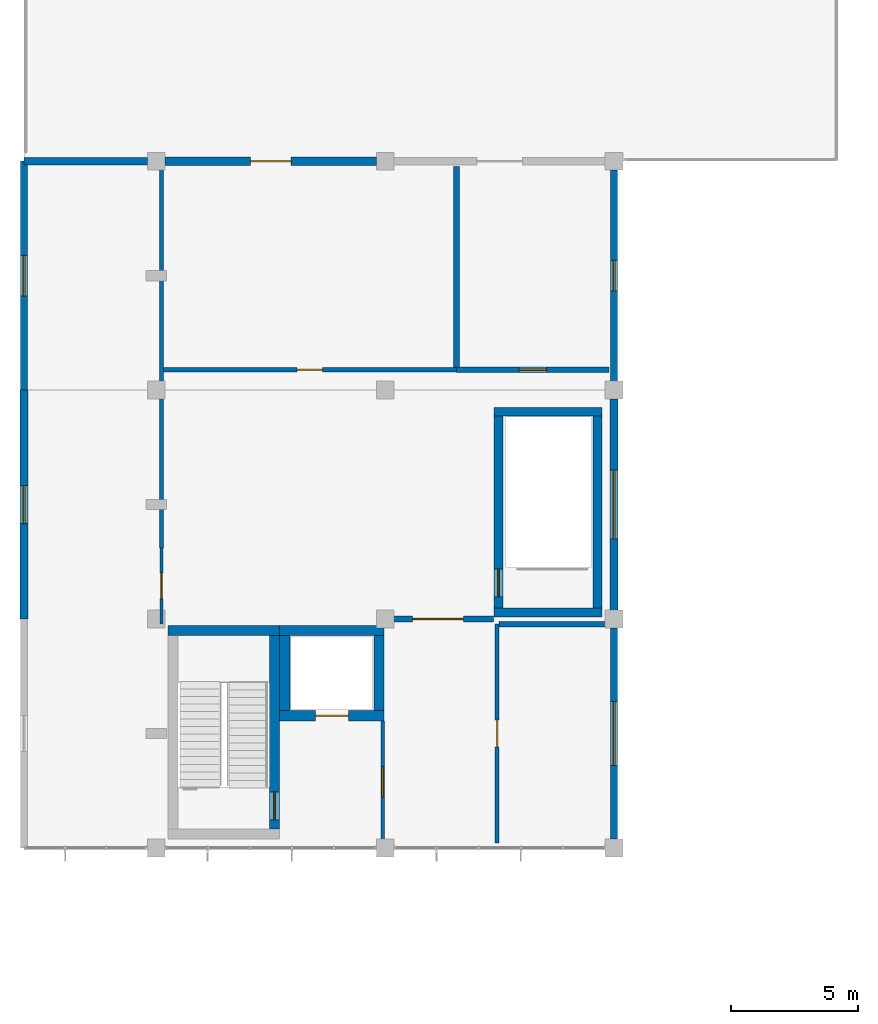
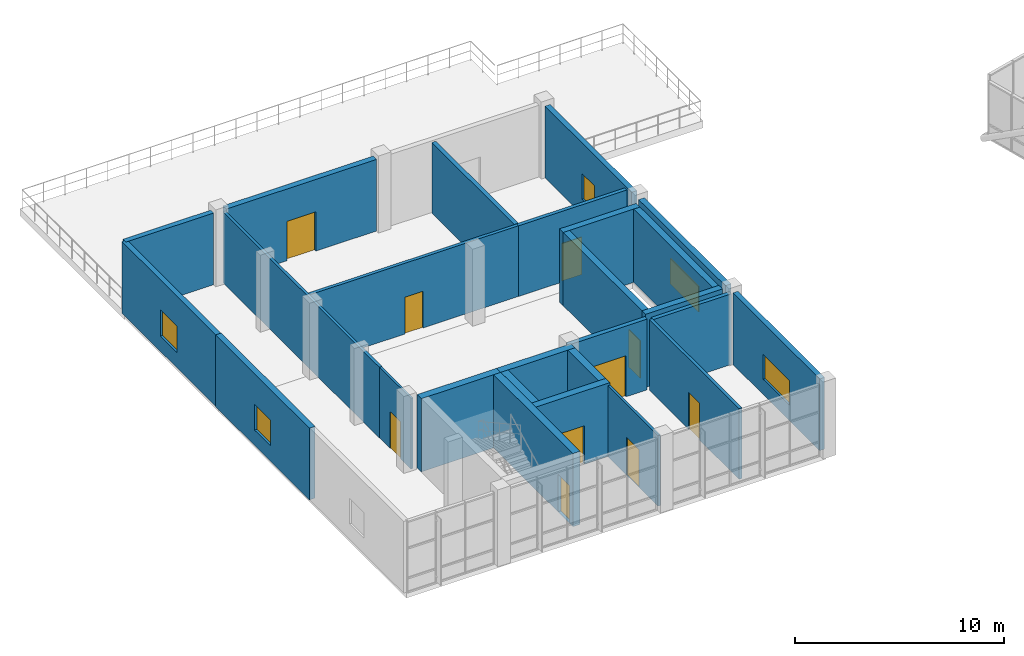
# One storey, part 25 of 29: 26 walls, 10 doors, 5 windows, 15 openings.
"""IFC4 building model written with IfcOpenShell, lengths in metres."""

from ifc_helpers import new_model, si_unit, direction, frame, frame_2d, origin, place, context, subcontext, project, spatial, rectangle, extrude, material, layer, layer_set, type_object, element, fill, save


model = new_model("IFC4")

# Units and contexts
model_context = context("Model", 3, precision=1e-05, world=origin(), true_north=direction((0.0, 1.0)))
body_context = subcontext(model_context, "Body", "Model", "MODEL_VIEW")
ifc_project = project(units=[si_unit("LENGTHUNIT", "METRE"), si_unit("AREAUNIT", "SQUARE_METRE"), si_unit("VOLUMEUNIT", "CUBIC_METRE"), si_unit("PLANEANGLEUNIT", "RADIAN"), si_unit("MASSUNIT", "GRAM", prefix="KILO")], contexts=[model_context])

# Site, building, storey
site_placement = place(None, origin())
site = spatial("IfcSite", under=ifc_project, at=site_placement, CompositionType="ELEMENT")
building_placement = place(site_placement, origin())
building = spatial("IfcBuilding", under=site, at=building_placement, Name="Ventoquebrada Cableway Terminal", CompositionType="ELEMENT")
storey_placement = place(building_placement, frame((0.0, 0.0, 18.89990234375)))
storey = spatial("IfcBuildingStorey", under=building, at=storey_placement, Name="L04", CompositionType="ELEMENT", Elevation=18.89990234375)

# Wall, opening, door
ifc_material_1 = material(Name="Concrete C40/50", Category="concrete")
ifc_layer_1 = layer(ifc_material_1, 0.39990234375)
ifc_layer_set_1 = layer_set([ifc_layer_1], Name="Concrete C40/50")
wall_type_1 = type_object("IfcWallType", Name="WL-CR1", PredefinedType="SHEAR", material=ifc_layer_set_1)
wall_1_placement = place(storey_placement, frame((12.85009765625, 77.75, 0.0), z_axis=(0.0, 0.0, 1.0), x_axis=(0.0, 1.0, 0.0)))
wall_1 = element("IfcWall", 1, at=wall_1_placement, inside=storey, type_object=wall_type_1, Name="Core shear wall IW-0082", PredefinedType="SHEAR", context=body_context, shape_type="SweptSolid", body=[
    extrude(rectangle(XDim=7.60009765625, YDim=0.39990234375, at=frame_2d((3.800048828125, 0.0))), origin(), (0.0, 0.0, 1.0), 4.280029296875),
])
opening_1_placement = place(wall_1_placement, frame((0.35009765625, 0.0, 0.0)))
opening_1 = element("IfcOpeningElement", 2, at=opening_1_placement, cuts=wall_1, Name="Opening D-010", PredefinedType="OPENING", context=body_context, shape_type="SweptSolid", body=[
    extrude(rectangle(XDim=1.10009765625, YDim=2.199951171875, at=frame_2d((0.550048828125, 1.10009765625))), frame((0.0, 0.2099609375, 0.0), z_axis=(0.0, -1.0, 0.0), x_axis=(1.0, 0.0, 0.0)), (0.0, 0.0, 1.0), 0.419921875),
])
ifc_material_2 = material(Name="Galvanized fire-rated steel door assembly", Category="steel")
door_type_1 = type_object("IfcDoorType", Name="DT-IN05", OperationType="SINGLE_SWING_LEFT", PredefinedType="DOOR", material=ifc_material_2)
door_1_placement = place(opening_1_placement, origin())
door_1 = element("IfcDoor", 3, at=door_1_placement, inside=storey, type_object=door_type_1, Name="Core K3-S stair fire door D-010", OperationType="SINGLE_SWING_LEFT", OverallHeight=2.199951171875, OverallWidth=1.10009765625, PredefinedType="DOOR", context=body_context, shape_type="SweptSolid", body=[
    extrude(rectangle(XDim=1.10009765625, YDim=2.199951171875, at=frame_2d((0.550048828125, 1.10009765625))), frame((0.0, 0.02490234375, 0.0), z_axis=(0.0, -1.0, 0.0), x_axis=(1.0, 0.0, 0.0)), (0.0, 0.0, 1.0), 0.050048828125),
])
fill(opening_1, door_1)

# Wall
wall_2_placement = place(storey_placement, frame((13.050048828125, 85.550048828125, 0.0), z_axis=(0.0, 0.0, 1.0), x_axis=(-1.0, 0.0, 0.0)))
element("IfcWall", 4, at=wall_2_placement, inside=storey, type_object=wall_type_1, Name="Core shear wall IW-0083", PredefinedType="SHEAR", context=body_context, shape_type="SweptSolid", body=[
    extrude(rectangle(XDim=4.400146484375, YDim=0.39990234375, at=frame_2d((2.2001953125, 0.0))), origin(), (0.0, 0.0, 1.0), 4.280029296875),
])

# Wall, opening, door
wall_3_placement = place(storey_placement, frame((13.050048828125, 82.199951171875, 0.0), z_axis=(0.0, 0.0, 1.0), x_axis=(1.0, 0.0, 0.0)))
wall_3 = element("IfcWall", 5, at=wall_3_placement, inside=storey, type_object=wall_type_1, Name="Core shear wall IW-0085", PredefinedType="SHEAR", context=body_context, shape_type="SweptSolid", body=[
    extrude(rectangle(XDim=4.099853515625, YDim=0.39990234375, at=frame_2d((2.0498046875, 0.0))), origin(), (0.0, 0.0, 1.0), 4.280029296875),
])
opening_2_placement = place(wall_3_placement, frame((1.39990234375, 0.0, 0.0)))
opening_2 = element("IfcOpeningElement", 6, at=opening_2_placement, cuts=wall_3, Name="Opening LD-010", PredefinedType="OPENING", context=body_context, shape_type="SweptSolid", body=[
    extrude(rectangle(XDim=1.300048828125, YDim=2.25, at=frame_2d((0.64990234375, 1.125))), frame((0.0, 0.2099609375, 0.0), z_axis=(0.0, -1.0, 0.0), x_axis=(1.0, 0.0, 0.0)), (0.0, 0.0, 1.0), 0.419921875),
])
ifc_material_3 = material(Name="Brushed stainless steel Grade 316", Category="steel")
door_type_2 = type_object("IfcDoorType", Name="DT-LD02", OperationType="SLIDING_TO_RIGHT", PredefinedType="DOOR", material=ifc_material_3)
door_2_placement = place(opening_2_placement, origin())
door_2 = element("IfcDoor", 7, at=door_2_placement, inside=storey, type_object=door_type_2, Name="Lift landing sliding door LD-010", OperationType="SLIDING_TO_LEFT", OverallHeight=2.25, OverallWidth=1.300048828125, PredefinedType="DOOR", context=body_context, shape_type="SweptSolid", body=[
    extrude(rectangle(XDim=1.300048828125, YDim=2.25, at=frame_2d((0.64990234375, 1.125))), frame((0.0, 0.02490234375, 0.0), z_axis=(0.0, -1.0, 0.0), x_axis=(1.0, 0.0, 0.0)), (0.0, 0.0, 1.0), 0.050048828125),
])
fill(opening_2, door_2)

# Walls
wall_4_placement = place(storey_placement, frame((16.949951171875, 82.39990234375, 0.0), z_axis=(0.0, 0.0, 1.0), x_axis=(0.0, 1.0, 0.0)))
element("IfcWall", 8, at=wall_4_placement, inside=storey, type_object=wall_type_1, Name="Core shear wall IW-0086", PredefinedType="SHEAR", context=body_context, shape_type="SweptSolid", body=[
    extrude(rectangle(XDim=2.9501953125, YDim=0.39990234375, at=frame_2d((1.47509765625, 0.0))), origin(), (0.0, 0.0, 1.0), 4.280029296875),
])
wall_5_placement = place(storey_placement, frame((17.14990234375, 85.550048828125, 0.0), z_axis=(0.0, 0.0, 1.0), x_axis=(-1.0, 0.0, 0.0)))
element("IfcWall", 9, at=wall_5_placement, inside=storey, type_object=wall_type_1, Name="Core shear wall IW-0087", PredefinedType="SHEAR", context=body_context, shape_type="SweptSolid", body=[
    extrude(rectangle(XDim=4.099853515625, YDim=0.39990234375, at=frame_2d((2.0498046875, 0.0))), origin(), (0.0, 0.0, 1.0), 4.280029296875),
])
wall_6_placement = place(storey_placement, frame((13.25, 85.35009765625, 0.0), z_axis=(0.0, 0.0, 1.0), x_axis=(0.0, -1.0, 0.0)))
element("IfcWall", 10, at=wall_6_placement, inside=storey, type_object=wall_type_1, Name="Core shear wall IW-0088", PredefinedType="SHEAR", context=body_context, shape_type="SweptSolid", body=[
    extrude(rectangle(XDim=2.9501953125, YDim=0.39990234375, at=frame_2d((1.47509765625, 0.0))), origin(), (0.0, 0.0, 1.0), 4.280029296875),
])

# Wall, opening, window
ifc_material_4 = material(Name="Precast architectural concrete C40/50", Category="concrete")
ifc_layer_2 = layer(ifc_material_4, 0.280029296875)
ifc_layer_set_2 = layer_set([ifc_layer_2], Name="Precast architectural concrete C40/50")
wall_type_2 = type_object("IfcWallType", Name="WL-EX1", PredefinedType="SOLIDWALL", material=ifc_layer_set_2)
wall_7_placement = place(storey_placement, frame((26.199951171875, 77.344970703125, 0.0), z_axis=(0.0, 0.0, 1.0), x_axis=(0.0, 1.0, 0.0)))
wall_7 = element("IfcWall", 11, at=wall_7_placement, inside=storey, type_object=wall_type_2, Name="Exterior architectural wall EW-0170", PredefinedType="SOLIDWALL", context=body_context, shape_type="SweptSolid", body=[
    extrude(rectangle(XDim=8.31005859375, YDim=0.280029296875, at=frame_2d((4.155029296875, 0.0))), origin(), (0.0, 0.0, 1.0), 4.190185546875),
])
opening_3_placement = place(wall_7_placement, frame((2.905029296875, 0.0, 0.89990234375)))
opening_3 = element("IfcOpeningElement", 12, at=opening_3_placement, cuts=wall_7, Name="Opening WN-079", PredefinedType="OPENING", context=body_context, shape_type="SweptSolid", body=[
    extrude(rectangle(XDim=2.5, YDim=1.449951171875, at=frame_2d((1.25, 0.72509765625))), frame((0.0, 0.14990234375, 0.0), z_axis=(0.0, -1.0, 0.0), x_axis=(1.0, 0.0, 0.0)), (0.0, 0.0, 1.0), 0.300048828125),
])
ifc_material_5 = material(Name="Double low-e laminated safety glazing", Category="glass")
window_type_1 = type_object("IfcWindowType", Name="WT-19", PartitioningType="SINGLE_PANEL", PredefinedType="WINDOW", material=ifc_material_5)
window_1_placement = place(opening_3_placement, origin())
window_1 = element("IfcWindow", 13, at=window_1_placement, inside=storey, type_object=window_type_1, Name="Architectural punched window WN-079", OverallHeight=1.449951171875, OverallWidth=2.5, PartitioningType="SINGLE_PANEL", PredefinedType="WINDOW", context=body_context, shape_type="SweptSolid", body=[
    extrude(rectangle(XDim=2.5, YDim=1.449951171875, at=frame_2d((1.25, 0.72509765625))), frame((0.0, 0.030029296875, 0.0), z_axis=(0.0, -1.0, 0.0), x_axis=(1.0, 0.0, 0.0)), (0.0, 0.0, 1.0), 0.06005859375),
])
fill(opening_3, window_1)

wall_8_placement = place(storey_placement, frame((26.199951171875, 95.344970703125, 0.0), z_axis=(0.0, 0.0, 1.0), x_axis=(0.0, 1.0, 0.0)))
wall_8 = element("IfcWall", 14, at=wall_8_placement, inside=storey, type_object=wall_type_2, Name="Exterior architectural wall EW-0172", PredefinedType="SOLIDWALL", context=body_context, shape_type="SweptSolid", body=[
    extrude(rectangle(XDim=8.31005859375, YDim=0.280029296875, at=frame_2d((4.155029296875, 0.0))), origin(), (0.0, 0.0, 1.0), 4.190185546875),
])
opening_4_placement = place(wall_8_placement, frame((3.554931640625, 0.0, 0.89990234375)))
opening_4 = element("IfcOpeningElement", 15, at=opening_4_placement, cuts=wall_8, Name="Opening WN-081", PredefinedType="OPENING", context=body_context, shape_type="SweptSolid", body=[
    extrude(rectangle(XDim=1.199951171875, YDim=1.5, at=frame_2d((0.60009765625, 0.75))), frame((0.0, 0.14990234375, 0.0), z_axis=(0.0, -1.0, 0.0), x_axis=(1.0, 0.0, 0.0)), (0.0, 0.0, 1.0), 0.300048828125),
])
window_type_2 = type_object("IfcWindowType", Name="WT-01", PartitioningType="SINGLE_PANEL", PredefinedType="WINDOW", material=ifc_material_5)
window_2_placement = place(opening_4_placement, origin())
window_2 = element("IfcWindow", 16, at=window_2_placement, inside=storey, type_object=window_type_2, Name="Architectural punched window WN-081", OverallHeight=1.5, OverallWidth=1.199951171875, PartitioningType="SINGLE_PANEL", PredefinedType="WINDOW", context=body_context, shape_type="SweptSolid", body=[
    extrude(rectangle(XDim=1.199951171875, YDim=1.5, at=frame_2d((0.60009765625, 0.75))), frame((0.0, 0.030029296875, 0.0), z_axis=(0.0, -1.0, 0.0), x_axis=(1.0, 0.0, 0.0)), (0.0, 0.0, 1.0), 0.06005859375),
])
fill(opening_4, window_2)

# Wall
wall_9_placement = place(storey_placement, frame((7.85498046875, 104.0, 0.0), z_axis=(0.0, 0.0, 1.0), x_axis=(-1.0, 0.0, 0.0)))
element("IfcWall", 17, at=wall_9_placement, inside=storey, type_object=wall_type_2, Name="Exterior architectural wall EW-0173", PredefinedType="SOLIDWALL", context=body_context, shape_type="SweptSolid", body=[
    extrude(rectangle(XDim=4.85498046875, YDim=0.280029296875, at=frame_2d((2.427490234375, 0.0))), origin(), (0.0, 0.0, 1.0), 4.190185546875),
])

# Wall, opening, window
wall_10_placement = place(storey_placement, frame((3.0, 104.0, 0.0), z_axis=(0.0, 0.0, 1.0), x_axis=(0.0, -1.0, 0.0)))
wall_10 = element("IfcWall", 18, at=wall_10_placement, inside=storey, type_object=wall_type_2, Name="Exterior architectural wall EW-0178", PredefinedType="SOLIDWALL", context=body_context, shape_type="SweptSolid", body=[
    extrude(rectangle(XDim=9.0, YDim=0.280029296875, at=frame_2d((4.5, 0.0))), origin(), (0.0, 0.0, 1.0), 4.190185546875),
])
opening_5_placement = place(wall_10_placement, frame((3.699951171875, 0.0, 0.89990234375)))
opening_5 = element("IfcOpeningElement", 19, at=opening_5_placement, cuts=wall_10, Name="Opening WN-084", PredefinedType="OPENING", context=body_context, shape_type="SweptSolid", body=[
    extrude(rectangle(XDim=1.60009765625, YDim=1.550048828125, at=frame_2d((0.800048828125, 0.77490234375))), frame((0.0, 0.14990234375, 0.0), z_axis=(0.0, -1.0, 0.0), x_axis=(1.0, 0.0, 0.0)), (0.0, 0.0, 1.0), 0.300048828125),
])
window_type_3 = type_object("IfcWindowType", Name="WT-04", PartitioningType="SINGLE_PANEL", PredefinedType="WINDOW", material=ifc_material_5)
window_3_placement = place(opening_5_placement, origin())
window_3 = element("IfcWindow", 20, at=window_3_placement, inside=storey, type_object=window_type_3, Name="Architectural punched window WN-084", OverallHeight=1.550048828125, OverallWidth=1.60009765625, PartitioningType="SINGLE_PANEL", PredefinedType="WINDOW", context=body_context, shape_type="SweptSolid", body=[
    extrude(rectangle(XDim=1.60009765625, YDim=1.550048828125, at=frame_2d((0.800048828125, 0.77490234375))), frame((0.0, 0.030029296875, 0.0), z_axis=(0.0, -1.0, 0.0), x_axis=(1.0, 0.0, 0.0)), (0.0, 0.0, 1.0), 0.06005859375),
])
fill(opening_5, window_3)

ifc_layer_3 = layer(ifc_material_4, 0.320068359375)
ifc_layer_set_3 = layer_set([ifc_layer_3], Name="Precast architectural concrete C40/50")
wall_type_3 = type_object("IfcWallType", Name="WL-EX2", PredefinedType="SOLIDWALL", material=ifc_layer_set_3)
wall_11_placement = place(storey_placement, frame((26.199951171875, 86.344970703125, 0.0), z_axis=(0.0, 0.0, 1.0), x_axis=(0.0, 1.0, 0.0)))
wall_11 = element("IfcWall", 21, at=wall_11_placement, inside=storey, type_object=wall_type_3, Name="Exterior architectural wall EW-0171", PredefinedType="SOLIDWALL", context=body_context, shape_type="SweptSolid", body=[
    extrude(rectangle(XDim=8.31005859375, YDim=0.320068359375, at=frame_2d((4.155029296875, 0.0))), origin(), (0.0, 0.0, 1.0), 4.190185546875),
])
opening_6_placement = place(wall_11_placement, frame((2.804931640625, 0.0, 0.89990234375)))
opening_6 = element("IfcOpeningElement", 22, at=opening_6_placement, cuts=wall_11, Name="Opening WN-080", PredefinedType="OPENING", context=body_context, shape_type="SweptSolid", body=[
    extrude(rectangle(XDim=2.699951171875, YDim=1.5, at=frame_2d((1.35009765625, 0.75))), frame((0.0, 0.169921875, 0.0), z_axis=(0.0, -1.0, 0.0), x_axis=(1.0, 0.0, 0.0)), (0.0, 0.0, 1.0), 0.340087890625),
])
window_type_4 = type_object("IfcWindowType", Name="WT-20", PartitioningType="SINGLE_PANEL", PredefinedType="WINDOW", material=ifc_material_5)
window_4_placement = place(opening_6_placement, origin())
window_4 = element("IfcWindow", 23, at=window_4_placement, inside=storey, type_object=window_type_4, Name="Architectural punched window WN-080", OverallHeight=1.5, OverallWidth=2.699951171875, PartitioningType="SINGLE_PANEL", PredefinedType="WINDOW", context=body_context, shape_type="SweptSolid", body=[
    extrude(rectangle(XDim=2.699951171875, YDim=1.5, at=frame_2d((1.35009765625, 0.75))), frame((0.0, 0.030029296875, 0.0), z_axis=(0.0, -1.0, 0.0), x_axis=(1.0, 0.0, 0.0)), (0.0, 0.0, 1.0), 0.06005859375),
])
fill(opening_6, window_4)

# Wall, opening, door
wall_12_placement = place(storey_placement, frame((16.85498046875, 104.0, 0.0), z_axis=(0.0, 0.0, 1.0), x_axis=(-1.0, 0.0, 0.0)))
wall_12 = element("IfcWall", 24, at=wall_12_placement, inside=storey, type_object=wall_type_3, Name="Exterior architectural wall EW-0174", PredefinedType="SOLIDWALL", context=body_context, shape_type="SweptSolid", body=[
    extrude(rectangle(XDim=8.31005859375, YDim=0.320068359375, at=frame_2d((4.155029296875, 0.0))), origin(), (0.0, 0.0, 1.0), 4.190185546875),
])
opening_7_placement = place(wall_12_placement, frame((3.35498046875, 0.0, 0.0)))
opening_7 = element("IfcOpeningElement", 25, at=opening_7_placement, cuts=wall_12, Name="Opening D-TR-13", PredefinedType="OPENING", context=body_context, shape_type="SweptSolid", body=[
    extrude(rectangle(XDim=1.60009765625, YDim=2.300048828125, at=frame_2d((0.800048828125, 1.14990234375))), frame((0.0, 0.169921875, 0.0), z_axis=(0.0, -1.0, 0.0), x_axis=(1.0, 0.0, 0.0)), (0.0, 0.0, 1.0), 0.340087890625),
])
ifc_material_6 = material(Name="Galvanized acoustic steel door assembly", Category="steel")
door_type_3 = type_object("IfcDoorType", Name="DT-EX06", OperationType="SLIDING_TO_LEFT", PredefinedType="DOOR", material=ifc_material_6)
door_3_placement = place(opening_7_placement, origin())
door_3 = element("IfcDoor", 26, at=door_3_placement, inside=storey, type_object=door_type_3, Name="Exterior d-tr door D-TR-13", OperationType="SLIDING_TO_LEFT", OverallHeight=2.300048828125, OverallWidth=1.60009765625, PredefinedType="DOOR", context=body_context, shape_type="SweptSolid", body=[
    extrude(rectangle(XDim=1.60009765625, YDim=2.300048828125, at=frame_2d((0.800048828125, 1.14990234375))), frame((0.0, 0.02490234375, 0.0), z_axis=(0.0, -1.0, 0.0), x_axis=(1.0, 0.0, 0.0)), (0.0, 0.0, 1.0), 0.050048828125),
])
fill(opening_7, door_3)

# Wall, opening, window
wall_13_placement = place(storey_placement, frame((3.0, 95.0, 0.0), z_axis=(0.0, 0.0, 1.0), x_axis=(0.0, -1.0, 0.0)))
wall_13 = element("IfcWall", 27, at=wall_13_placement, inside=storey, type_object=wall_type_3, Name="Exterior architectural wall EW-0177", PredefinedType="SOLIDWALL", context=body_context, shape_type="SweptSolid", body=[
    extrude(rectangle(XDim=9.0, YDim=0.320068359375, at=frame_2d((4.5, 0.0))), origin(), (0.0, 0.0, 1.0), 4.190185546875),
])
opening_8_placement = place(wall_13_placement, frame((3.75, 0.0, 0.89990234375)))
opening_8 = element("IfcOpeningElement", 28, at=opening_8_placement, cuts=wall_13, Name="Opening WN-083", PredefinedType="OPENING", context=body_context, shape_type="SweptSolid", body=[
    extrude(rectangle(XDim=1.5, YDim=1.5, at=frame_2d((0.75, 0.75))), frame((0.0, 0.169921875, 0.0), z_axis=(0.0, -1.0, 0.0), x_axis=(1.0, 0.0, 0.0)), (0.0, 0.0, 1.0), 0.340087890625),
])
window_type_5 = type_object("IfcWindowType", Name="WT-03", PartitioningType="SINGLE_PANEL", PredefinedType="WINDOW", material=ifc_material_5)
window_5_placement = place(opening_8_placement, origin())
window_5 = element("IfcWindow", 29, at=window_5_placement, inside=storey, type_object=window_type_5, Name="Architectural punched window WN-083", OverallHeight=1.5, OverallWidth=1.5, PartitioningType="SINGLE_PANEL", PredefinedType="WINDOW", context=body_context, shape_type="SweptSolid", body=[
    extrude(rectangle(XDim=1.5, YDim=1.5, at=frame_2d((0.75, 0.75))), frame((0.0, 0.030029296875, 0.0), z_axis=(0.0, -1.0, 0.0), x_axis=(1.0, 0.0, 0.0)), (0.0, 0.0, 1.0), 0.06005859375),
])
fill(opening_8, window_5)

# Wall, opening, door
ifc_material_7 = material(Name="Fire-rated gypsum partition board on steel framing", Category="steel")
ifc_layer_4 = layer(ifc_material_7, 0.1201171875)
ifc_layer_set_4 = layer_set([ifc_layer_4], Name="Fire-rated gypsum partition board on steel framing")
wall_type_4 = type_object("IfcWallType", Name="WL-PT1", PredefinedType="PARTITIONING", material=ifc_layer_set_4)
wall_14_placement = place(storey_placement, frame((8.39990234375, 85.800048828125, 0.0), z_axis=(0.0, 0.0, 1.0), x_axis=(0.0, 1.0, 0.0)))
wall_14 = element("IfcWall", 30, at=wall_14_placement, inside=storey, type_object=wall_type_4, Name="Interior partition IW-0431", PredefinedType="PARTITIONING", context=body_context, shape_type="SweptSolid", body=[
    extrude(rectangle(XDim=3.0, YDim=0.1201171875, at=frame_2d((1.5, 0.0))), origin(), (0.0, 0.0, 1.0), 4.135009765625),
])
opening_9_placement = place(wall_14_placement, frame((1.0, 0.0, 0.0)))
opening_9 = element("IfcOpeningElement", 31, at=opening_9_placement, cuts=wall_14, Name="Opening D-140", PredefinedType="OPENING", context=body_context, shape_type="SweptSolid", body=[
    extrude(rectangle(XDim=1.0, YDim=2.14990234375, at=frame_2d((0.5, 1.074951171875))), frame((0.0, 0.070068359375, 0.0), z_axis=(0.0, -1.0, 0.0), x_axis=(1.0, 0.0, 0.0)), (0.0, 0.0, 1.0), 0.14013671875),
])
ifc_material_8 = material(Name="Fire-retardant oak acoustic door leaf")
door_type_4 = type_object("IfcDoorType", Name="DT-IN02", OperationType="SINGLE_SWING_RIGHT", PredefinedType="DOOR", material=ifc_material_8)
door_4_placement = place(opening_9_placement, origin())
door_4 = element("IfcDoor", 32, at=door_4_placement, inside=storey, type_object=door_type_4, Name="Canyon Lookout Gallery Door D-140", OperationType="SINGLE_SWING_LEFT", OverallHeight=2.14990234375, OverallWidth=1.0, PredefinedType="DOOR", context=body_context, shape_type="SweptSolid", body=[
    extrude(rectangle(XDim=1.0, YDim=2.14990234375, at=frame_2d((0.5, 1.074951171875))), frame((0.0, 0.02490234375, 0.0), z_axis=(0.0, -1.0, 0.0), x_axis=(1.0, 0.0, 0.0)), (0.0, 0.0, 1.0), 0.050048828125),
])
fill(opening_9, door_4)

ifc_material_9 = material(Name="Autoclaved aerated concrete blockwork", Category="masonry")
ifc_layer_5 = layer(ifc_material_9, 0.2451171875)
ifc_layer_set_5 = layer_set([ifc_layer_5], Name="Autoclaved aerated concrete blockwork")
wall_type_5 = type_object("IfcWallType", Name="WL-PT10", PredefinedType="PARTITIONING", material=ifc_layer_set_5)
wall_15_placement = place(storey_placement, frame((17.10009765625, 86.0, 0.0), z_axis=(0.0, 0.0, 1.0), x_axis=(1.0, 0.0, 0.0)))
wall_15 = element("IfcWall", 33, at=wall_15_placement, inside=storey, type_object=wall_type_5, Name="Interior partition IW-0430", PredefinedType="PARTITIONING", context=body_context, shape_type="SweptSolid", body=[
    extrude(rectangle(XDim=4.349853515625, YDim=0.2451171875, at=frame_2d((2.1748046875, 0.0))), origin(), (0.0, 0.0, 1.0), 4.135009765625),
])
opening_10_placement = place(wall_15_placement, frame((1.175048828125, 0.0, 0.0)))
opening_10 = element("IfcOpeningElement", 34, at=opening_10_placement, cuts=wall_15, Name="Opening D-139", PredefinedType="OPENING", context=body_context, shape_type="SweptSolid", body=[
    extrude(rectangle(XDim=2.0, YDim=2.39990234375, at=frame_2d((1.0, 1.199951171875))), frame((0.0, 0.132568359375, 0.0), z_axis=(0.0, -1.0, 0.0), x_axis=(1.0, 0.0, 0.0)), (0.0, 0.0, 1.0), 0.26513671875),
])
door_type_5 = type_object("IfcDoorType", Name="DT-IN09", OperationType="DOUBLE_DOOR_SINGLE_SWING", PredefinedType="DOOR", material=ifc_material_2)
door_5_placement = place(opening_10_placement, origin())
door_5 = element("IfcDoor", 35, at=door_5_placement, inside=storey, type_object=door_type_5, Name="Belvedere Sky Lounge Door D-139", OperationType="DOUBLE_DOOR_SINGLE_SWING", OverallHeight=2.39990234375, OverallWidth=2.0, PredefinedType="DOOR", context=body_context, shape_type="SweptSolid", body=[
    extrude(rectangle(XDim=2.0, YDim=2.39990234375, at=frame_2d((1.0, 1.199951171875))), frame((0.0, 0.02490234375, 0.0), z_axis=(0.0, -1.0, 0.0), x_axis=(1.0, 0.0, 0.0)), (0.0, 0.0, 1.0), 0.050048828125),
])
fill(opening_10, door_5)

# Wall
ifc_layer_6 = layer(ifc_material_7, 0.14990234375)
ifc_layer_set_6 = layer_set([ifc_layer_6], Name="Fire-rated gypsum partition board on steel framing")
wall_type_6 = type_object("IfcWallType", Name="WL-PT2", PredefinedType="PARTITIONING", material=ifc_layer_set_6)
wall_16_placement = place(storey_placement, frame((8.39990234375, 88.800048828125, 0.0), z_axis=(0.0, 0.0, 1.0), x_axis=(0.0, 1.0, 0.0)))
element("IfcWall", 36, at=wall_16_placement, inside=storey, type_object=wall_type_6, Name="Interior partition IW-0432", PredefinedType="PARTITIONING", context=body_context, shape_type="SweptSolid", body=[
    extrude(rectangle(XDim=15.0, YDim=0.14990234375, at=frame_2d((7.5, 0.0))), origin(), (0.0, 0.0, 1.0), 4.135009765625),
])

# Wall, opening, door
ifc_layer_7 = layer(ifc_material_7, 0.179931640625)
ifc_layer_set_7 = layer_set([ifc_layer_7], Name="Fire-rated gypsum partition board on steel framing")
wall_type_7 = type_object("IfcWallType", Name="WL-PT3", PredefinedType="STANDARD", material=ifc_layer_set_7)
wall_17_placement = place(storey_placement, frame((8.472900390625, 95.800048828125, 0.0), z_axis=(0.0, 0.0, 1.0), x_axis=(1.0, 0.0, 0.0)))
wall_17 = element("IfcWall", 37, at=wall_17_placement, inside=storey, type_object=wall_type_7, Name="Interior partition IW-0433", PredefinedType="STANDARD", context=body_context, shape_type="SweptSolid", body=[
    extrude(rectangle(XDim=11.527099609375, YDim=0.179931640625, at=frame_2d((5.763671875, 0.0))), origin(), (0.0, 0.0, 1.0), 4.135009765625),
])
opening_11_placement = place(wall_17_placement, frame((5.262939453125, 0.0, 0.0)))
opening_11 = element("IfcOpeningElement", 38, at=opening_11_placement, cuts=wall_17, Name="Opening D-141", PredefinedType="OPENING", context=body_context, shape_type="SweptSolid", body=[
    extrude(rectangle(XDim=1.0, YDim=2.14990234375, at=frame_2d((0.5, 1.074951171875))), frame((0.0, 0.099853515625, 0.0), z_axis=(0.0, -1.0, 0.0), x_axis=(1.0, 0.0, 0.0)), (0.0, 0.0, 1.0), 0.199951171875),
])
door_6_placement = place(opening_11_placement, origin())
door_6 = element("IfcDoor", 39, at=door_6_placement, inside=storey, type_object=door_type_4, Name="Weather Observatory Door D-141", OperationType="SINGLE_SWING_RIGHT", OverallHeight=2.14990234375, OverallWidth=1.0, PredefinedType="DOOR", context=body_context, shape_type="SweptSolid", body=[
    extrude(rectangle(XDim=1.0, YDim=2.14990234375, at=frame_2d((0.5, 1.074951171875))), frame((0.0, 0.02490234375, 0.0), z_axis=(0.0, -1.0, 0.0), x_axis=(1.0, 0.0, 0.0)), (0.0, 0.0, 1.0), 0.050048828125),
])
fill(opening_11, door_6)

ifc_layer_8 = layer(ifc_material_9, 0.199951171875)
ifc_layer_set_8 = layer_set([ifc_layer_8], Name="Autoclaved aerated concrete blockwork")
wall_type_8 = type_object("IfcWallType", Name="WL-PT4", PredefinedType="PARTITIONING", material=ifc_layer_set_8)
wall_18_placement = place(storey_placement, frame((20.0, 95.800048828125, 0.0), z_axis=(0.0, 0.0, 1.0), x_axis=(1.0, 0.0, 0.0)))
wall_18 = element("IfcWall", 40, at=wall_18_placement, inside=storey, type_object=wall_type_8, Name="Interior partition IW-0434", PredefinedType="PARTITIONING", context=body_context, shape_type="SweptSolid", body=[
    extrude(rectangle(XDim=6.0, YDim=0.199951171875, at=frame_2d((3.0, 0.0))), origin(), (0.0, 0.0, 1.0), 4.135009765625),
])
opening_12_placement = place(wall_18_placement, frame((2.449951171875, 0.0, 0.0)))
opening_12 = element("IfcOpeningElement", 41, at=opening_12_placement, cuts=wall_18, Name="Opening D-142", PredefinedType="OPENING", context=body_context, shape_type="SweptSolid", body=[
    extrude(rectangle(XDim=1.10009765625, YDim=2.199951171875, at=frame_2d((0.550048828125, 1.10009765625))), frame((0.0, 0.10986328125, 0.0), z_axis=(0.0, -1.0, 0.0), x_axis=(1.0, 0.0, 0.0)), (0.0, 0.0, 1.0), 0.219970703125),
])
door_type_6 = type_object("IfcDoorType", Name="DT-IN04", OperationType="SINGLE_SWING_RIGHT", PredefinedType="DOOR", material=ifc_material_2)
door_7_placement = place(opening_12_placement, origin())
door_7 = element("IfcDoor", 42, at=door_7_placement, inside=storey, type_object=door_type_6, Name="Sky Bar Prep Pantry Door D-142", OperationType="SINGLE_SWING_LEFT", OverallHeight=2.199951171875, OverallWidth=1.10009765625, PredefinedType="DOOR", context=body_context, shape_type="SweptSolid", body=[
    extrude(rectangle(XDim=1.10009765625, YDim=2.199951171875, at=frame_2d((0.550048828125, 1.10009765625))), frame((0.0, 0.02490234375, 0.0), z_axis=(0.0, -1.0, 0.0), x_axis=(1.0, 0.0, 0.0)), (0.0, 0.0, 1.0), 0.050048828125),
])
fill(opening_12, door_7)

# Wall
ifc_layer_9 = layer(ifc_material_9, 0.22998046875)
ifc_layer_set_9 = layer_set([ifc_layer_9], Name="Autoclaved aerated concrete blockwork")
wall_type_9 = type_object("IfcWallType", Name="WL-PT5", PredefinedType="PARTITIONING", material=ifc_layer_set_9)
wall_19_placement = place(storey_placement, frame((20.0, 95.89794921875, 0.0), z_axis=(0.0, 0.0, 1.0), x_axis=(0.0, 1.0, 0.0)))
element("IfcWall", 43, at=wall_19_placement, inside=storey, type_object=wall_type_9, Name="Interior partition IW-0435", PredefinedType="PARTITIONING", context=body_context, shape_type="SweptSolid", body=[
    extrude(rectangle(XDim=7.902099609375, YDim=0.22998046875, at=frame_2d((3.951171875, 0.0))), origin(), (0.0, 0.0, 1.0), 4.135009765625),
])

# Wall, opening, door
ifc_layer_10 = layer(ifc_material_7, 0.135009765625)
ifc_layer_set_10 = layer_set([ifc_layer_10], Name="Fire-rated gypsum partition board on steel framing")
wall_type_10 = type_object("IfcWallType", Name="WL-PT7", PredefinedType="PARTITIONING", material=ifc_layer_set_10)
wall_20_placement = place(storey_placement, frame((17.10009765625, 77.199951171875, 0.0), z_axis=(0.0, 0.0, 1.0), x_axis=(0.0, 1.0, 0.0)))
wall_20 = element("IfcWall", 44, at=wall_20_placement, inside=storey, type_object=wall_type_10, Name="Interior partition IW-0427", PredefinedType="PARTITIONING", context=body_context, shape_type="SweptSolid", body=[
    extrude(rectangle(XDim=4.800048828125, YDim=0.135009765625, at=frame_2d((2.39990234375, 0.0))), origin(), (0.0, 0.0, 1.0), 4.135009765625),
])
opening_13_placement = place(wall_20_placement, frame((1.800048828125, 0.0, 0.0)))
opening_13 = element("IfcOpeningElement", 45, at=opening_13_placement, cuts=wall_20, Name="Opening D-137", PredefinedType="OPENING", context=body_context, shape_type="SweptSolid", body=[
    extrude(rectangle(XDim=1.199951171875, YDim=2.199951171875, at=frame_2d((0.60009765625, 1.10009765625))), frame((0.0, 0.077392578125, 0.0), z_axis=(0.0, -1.0, 0.0), x_axis=(1.0, 0.0, 0.0)), (0.0, 0.0, 1.0), 0.155029296875),
])
door_type_7 = type_object("IfcDoorType", Name="DT-IN06", OperationType="SINGLE_SWING_RIGHT", PredefinedType="DOOR", material=ifc_material_2)
door_8_placement = place(opening_13_placement, origin())
door_8 = element("IfcDoor", 46, at=door_8_placement, inside=storey, type_object=door_type_7, Name="K3 Firefighting Lobby Door D-137", OperationType="SINGLE_SWING_RIGHT", OverallHeight=2.199951171875, OverallWidth=1.199951171875, PredefinedType="DOOR", context=body_context, shape_type="SweptSolid", body=[
    extrude(rectangle(XDim=1.199951171875, YDim=2.199951171875, at=frame_2d((0.60009765625, 1.10009765625))), frame((0.0, 0.02490234375, 0.0), z_axis=(0.0, -1.0, 0.0), x_axis=(1.0, 0.0, 0.0)), (0.0, 0.0, 1.0), 0.050048828125),
])
fill(opening_13, door_8)

ifc_layer_11 = layer(ifc_material_7, 0.1650390625)
ifc_layer_set_11 = layer_set([ifc_layer_11], Name="Fire-rated gypsum partition board on steel framing")
wall_type_11 = type_object("IfcWallType", Name="WL-PT8", PredefinedType="PARTITIONING", material=ifc_layer_set_11)
wall_21_placement = place(storey_placement, frame((21.60009765625, 77.199951171875, 0.0), z_axis=(0.0, 0.0, 1.0), x_axis=(0.0, 1.0, 0.0)))
wall_21 = element("IfcWall", 47, at=wall_21_placement, inside=storey, type_object=wall_type_11, Name="Interior partition IW-0428", PredefinedType="PARTITIONING", context=body_context, shape_type="SweptSolid", body=[
    extrude(rectangle(XDim=8.60009765625, YDim=0.1650390625, at=frame_2d((4.300048828125, 0.0))), origin(), (0.0, 0.0, 1.0), 4.135009765625),
])
opening_14_placement = place(wall_21_placement, frame((3.77490234375, 0.0, 0.0)))
opening_14 = element("IfcOpeningElement", 48, at=opening_14_placement, cuts=wall_21, Name="Opening D-138", PredefinedType="OPENING", context=body_context, shape_type="SweptSolid", body=[
    extrude(rectangle(XDim=1.050048828125, YDim=2.14990234375, at=frame_2d((0.52490234375, 1.074951171875))), frame((0.0, 0.092529296875, 0.0), z_axis=(0.0, -1.0, 0.0), x_axis=(1.0, 0.0, 0.0)), (0.0, 0.0, 1.0), 0.18505859375),
])
door_type_8 = type_object("IfcDoorType", Name="DT-IN03", OperationType="SINGLE_SWING_LEFT", PredefinedType="DOOR", material=ifc_material_8)
door_9_placement = place(opening_14_placement, origin())
door_9 = element("IfcDoor", 49, at=door_9_placement, inside=storey, type_object=door_type_8, Name="Sky Lounge Accessible WC Door D-138", OperationType="SINGLE_SWING_LEFT", OverallHeight=2.14990234375, OverallWidth=1.050048828125, PredefinedType="DOOR", context=body_context, shape_type="SweptSolid", body=[
    extrude(rectangle(XDim=1.050048828125, YDim=2.14990234375, at=frame_2d((0.52490234375, 1.074951171875))), frame((0.0, 0.02490234375, 0.0), z_axis=(0.0, -1.0, 0.0), x_axis=(1.0, 0.0, 0.0)), (0.0, 0.0, 1.0), 0.050048828125),
])
fill(opening_14, door_9)

# Walls
ifc_layer_12 = layer(ifc_material_9, 0.215087890625)
ifc_layer_set_12 = layer_set([ifc_layer_12], Name="Autoclaved aerated concrete blockwork")
wall_type_12 = type_object("IfcWallType", Name="WL-PT9", PredefinedType="PARTITIONING", material=ifc_layer_set_12)
wall_22_placement = place(storey_placement, frame((21.680908203125, 85.800048828125, 0.0), z_axis=(0.0, 0.0, 1.0), x_axis=(1.0, 0.0, 0.0)))
element("IfcWall", 50, at=wall_22_placement, inside=storey, type_object=wall_type_12, Name="Interior partition IW-0429", PredefinedType="PARTITIONING", context=body_context, shape_type="SweptSolid", body=[
    extrude(rectangle(XDim=4.319091796875, YDim=0.215087890625, at=frame_2d((2.15966796875, 0.0))), origin(), (0.0, 0.0, 1.0), 4.135009765625),
])
ifc_layer_13 = layer(ifc_material_1, 0.35009765625)
ifc_layer_set_13 = layer_set([ifc_layer_13], Name="Concrete C40/50")
wall_type_13 = type_object("IfcWallType", Name="WL-SH1", PredefinedType="SHEAR", material=ifc_layer_set_13)
wall_23_placement = place(storey_placement, frame((21.47509765625, 86.25, 0.0), z_axis=(0.0, 0.0, 1.0), x_axis=(1.0, 0.0, 0.0)))
element("IfcWall", 51, at=wall_23_placement, inside=storey, type_object=wall_type_13, Name="Core shear wall IW-0225", PredefinedType="SHEAR", context=body_context, shape_type="SweptSolid", body=[
    extrude(rectangle(XDim=4.25, YDim=0.35009765625, at=frame_2d((2.125, 0.0))), origin(), (0.0, 0.0, 1.0), 4.280029296875),
])
wall_24_placement = place(storey_placement, frame((25.550048828125, 86.425048828125, 0.0), z_axis=(0.0, 0.0, 1.0), x_axis=(0.0, 1.0, 0.0)))
element("IfcWall", 52, at=wall_24_placement, inside=storey, type_object=wall_type_13, Name="Core shear wall IW-0226", PredefinedType="SHEAR", context=body_context, shape_type="SweptSolid", body=[
    extrude(rectangle(XDim=7.550048828125, YDim=0.35009765625, at=frame_2d((3.77490234375, 0.0))), origin(), (0.0, 0.0, 1.0), 4.280029296875),
])
wall_25_placement = place(storey_placement, frame((25.72509765625, 94.14990234375, 0.0), z_axis=(0.0, 0.0, 1.0), x_axis=(-1.0, 0.0, 0.0)))
element("IfcWall", 53, at=wall_25_placement, inside=storey, type_object=wall_type_13, Name="Core shear wall IW-0227", PredefinedType="SHEAR", context=body_context, shape_type="SweptSolid", body=[
    extrude(rectangle(XDim=4.25, YDim=0.35009765625, at=frame_2d((2.125, 0.0))), origin(), (0.0, 0.0, 1.0), 4.280029296875),
])

# Wall, opening, door
wall_26_placement = place(storey_placement, frame((21.64990234375, 93.97509765625, 0.0), z_axis=(0.0, 0.0, 1.0), x_axis=(0.0, -1.0, 0.0)))
wall_26 = element("IfcWall", 54, at=wall_26_placement, inside=storey, type_object=wall_type_13, Name="Core shear wall IW-0228", PredefinedType="SHEAR", context=body_context, shape_type="SweptSolid", body=[
    extrude(rectangle(XDim=7.550048828125, YDim=0.35009765625, at=frame_2d((3.77490234375, 0.0))), origin(), (0.0, 0.0, 1.0), 4.280029296875),
])
opening_15_placement = place(wall_26_placement, frame((6.0, 0.0, 0.0)))
opening_15 = element("IfcOpeningElement", 55, at=opening_15_placement, cuts=wall_26, Name="Opening D-032", PredefinedType="OPENING", context=body_context, shape_type="SweptSolid", body=[
    extrude(rectangle(XDim=1.10009765625, YDim=2.199951171875, at=frame_2d((0.550048828125, 1.10009765625))), frame((0.0, 0.18505859375, 0.0), z_axis=(0.0, -1.0, 0.0), x_axis=(1.0, 0.0, 0.0)), (0.0, 0.0, 1.0), 0.3701171875),
])
door_10_placement = place(opening_15_placement, origin())
door_10 = element("IfcDoor", 56, at=door_10_placement, inside=storey, type_object=door_type_1, Name="Core V3-SEC stair fire door D-032", OperationType="SINGLE_SWING_LEFT", OverallHeight=2.199951171875, OverallWidth=1.10009765625, PredefinedType="DOOR", context=body_context, shape_type="SweptSolid", body=[
    extrude(rectangle(XDim=1.10009765625, YDim=2.199951171875, at=frame_2d((0.550048828125, 1.10009765625))), frame((0.0, 0.02490234375, 0.0), z_axis=(0.0, -1.0, 0.0), x_axis=(1.0, 0.0, 0.0)), (0.0, 0.0, 1.0), 0.050048828125),
])
fill(opening_15, door_10)

save(model, "model.ifc")
